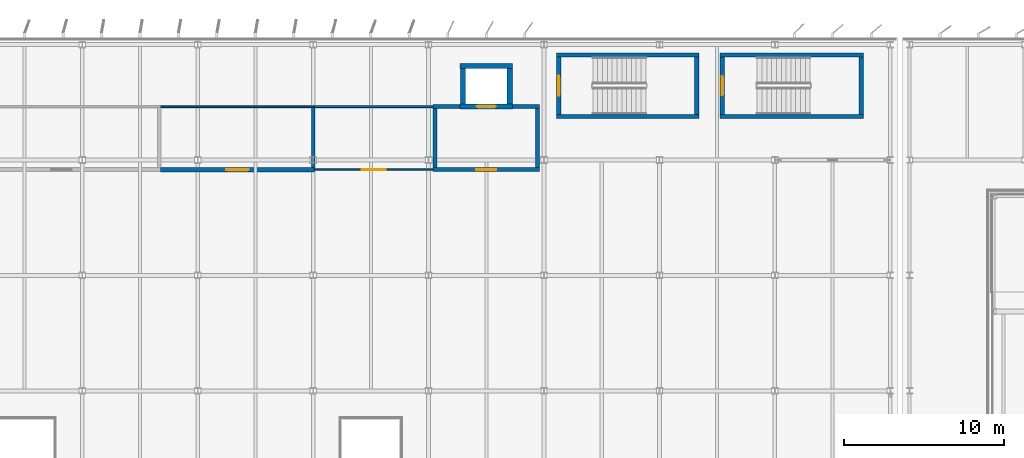
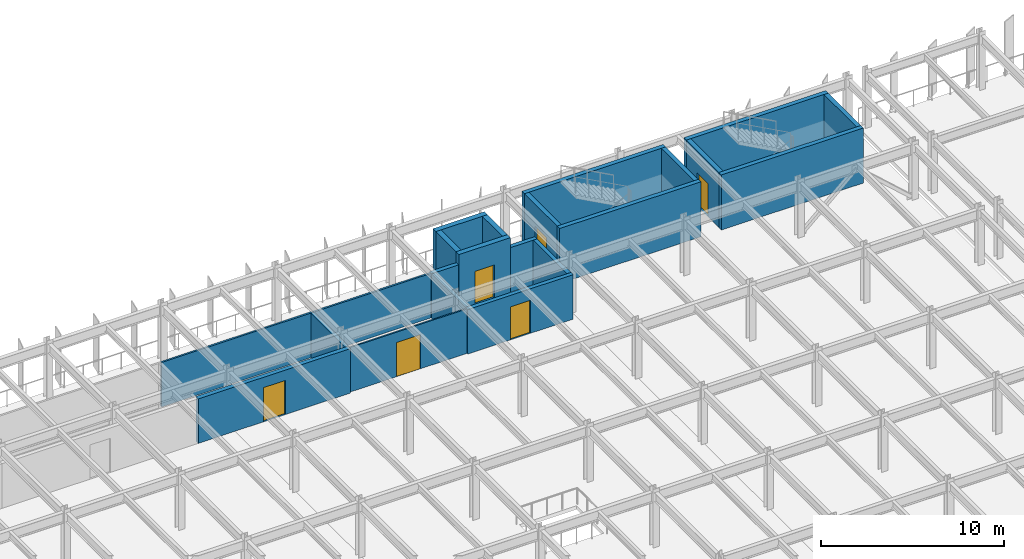
# One storey, part 66 of 93: 22 walls, 6 doors, 6 openings.
"""IFC4 building model written with IfcOpenShell, lengths in metres."""

from ifc_helpers import new_model, si_unit, direction, frame, frame_2d, origin, place, context, subcontext, project, spatial, rectangle, extrude, material, layer, layer_set, type_object, element, fill, save


model = new_model("IFC4")

# Units and contexts
model_context = context("Model", 3, precision=1e-05, world=origin(), true_north=direction((0.0, 1.0)))
body_context = subcontext(model_context, "Body", "Model", "MODEL_VIEW")
ifc_project = project(units=[si_unit("LENGTHUNIT", "METRE"), si_unit("AREAUNIT", "SQUARE_METRE"), si_unit("VOLUMEUNIT", "CUBIC_METRE"), si_unit("PLANEANGLEUNIT", "RADIAN"), si_unit("MASSUNIT", "GRAM", prefix="KILO")], contexts=[model_context])

# Site, building, storey
site_placement = place(None, origin())
site = spatial("IfcSite", under=ifc_project, at=site_placement, CompositionType="ELEMENT")
building_placement = place(site_placement, origin())
building = spatial("IfcBuilding", under=site, at=building_placement, Name="Vaelcorin Mobility Hub", CompositionType="ELEMENT")
storey_placement = place(building_placement, frame((0.0, 0.0, 5.39990234375)))
storey = spatial("IfcBuildingStorey", under=building, at=storey_placement, Name="L01", CompositionType="ELEMENT", Elevation=5.39990234375)

# Walls
ifc_material_1 = material(Name="Reinforced concrete f'c 45 MPa", Category="concrete")
ifc_layer_1 = layer(ifc_material_1, 0.27490234375)
ifc_layer_set_1 = layer_set([ifc_layer_1], Name="Reinforced concrete f'c 45 MPa")
wall_type_1 = type_object("IfcWallType", Name="WL-CORE-275", PredefinedType="SOLIDWALL", material=ifc_layer_set_1)
for number, where, z_axis, x_axis, name in (
    (1, (110.47509765625, 115.511962890625, 0.0), (0.0, 0.0, 1.0), (-1.0, 0.0, 0.0), "ST4 Fire Core Wall L01 South"),
    (2, (101.574951171875, 119.347900390625, 0.0), (0.0, 0.0, 1.0), (1.0, 0.0, 0.0), "ST4 Fire Core Wall L01 North"),
):
    element("IfcWall", number, at=place(storey_placement, frame(where, z_axis=z_axis, x_axis=x_axis)), inside=storey, type_object=wall_type_1, Name=name, PredefinedType="SOLIDWALL", context=body_context, shape_type="SweptSolid", body=[
        extrude(rectangle(XDim=8.900146484375, YDim=0.27490234375, at=frame_2d((4.4501953125, 0.0))), origin(), (0.0, 0.0, 1.0), 3.670166015625),
    ])

# Wall, opening, door
wall_1_placement = place(storey_placement, frame((101.7119140625, 115.64990234375, 0.0), z_axis=(0.0, 0.0, 1.0), x_axis=(0.0, 1.0, 0.0)))
wall_1 = element("IfcWall", 3, at=wall_1_placement, inside=storey, type_object=wall_type_1, Name="ST4 Fire Core Wall L01 West", PredefinedType="SOLIDWALL", context=body_context, shape_type="SweptSolid", body=[
    extrude(rectangle(XDim=3.56005859375, YDim=0.27490234375, at=frame_2d((1.780029296875, 0.0))), origin(), (0.0, 0.0, 1.0), 3.670166015625),
])
opening_1_placement = place(wall_1_placement, frame((1.155029296875, 0.0, 0.0)))
opening_1 = element("IfcOpeningElement", 4, at=opening_1_placement, cuts=wall_1, Name="Opening SD02", PredefinedType="OPENING", context=body_context, shape_type="SweptSolid", body=[
    extrude(rectangle(XDim=1.25, YDim=2.199951171875, at=frame_2d((0.625, 1.10009765625))), frame((0.0, 0.1474609375, 0.0), z_axis=(0.0, -1.0, 0.0), x_axis=(1.0, 0.0, 0.0)), (0.0, 0.0, 1.0), 0.294921875),
])
ifc_material_2 = material(Name="Hollow-metal insulated steel fire door", Category="steel")
door_type_1 = type_object("IfcDoorType", Name="DR-STAIR-FF", OperationType="NOTDEFINED", PredefinedType="DOOR", material=ifc_material_2)
door_1_placement = place(opening_1_placement, origin())
door_1 = element("IfcDoor", 5, at=door_1_placement, inside=storey, type_object=door_type_1, Name="ST4 Protected Stair Door L01", OperationType="SINGLE_SWING_RIGHT", OverallHeight=2.199951171875, OverallWidth=1.25, PredefinedType="DOOR", context=body_context, shape_type="SweptSolid", body=[
    extrude(rectangle(XDim=1.25, YDim=2.199951171875, at=frame_2d((0.625, 1.10009765625))), frame((0.0, 0.02490234375, 0.0), z_axis=(0.0, -1.0, 0.0), x_axis=(1.0, 0.0, 0.0)), (0.0, 0.0, 1.0), 0.050048828125),
])
fill(opening_1, door_1)

# Walls
wall_2_placement = place(storey_placement, frame((110.337890625, 119.2099609375, 0.0), z_axis=(0.0, 0.0, 1.0), x_axis=(0.0, -1.0, 0.0)))
element("IfcWall", 6, at=wall_2_placement, inside=storey, type_object=wall_type_1, Name="ST4 Fire Core Wall L01 East", PredefinedType="SOLIDWALL", context=body_context, shape_type="SweptSolid", body=[
    extrude(rectangle(XDim=3.56005859375, YDim=0.27490234375, at=frame_2d((1.780029296875, 0.0))), origin(), (0.0, 0.0, 1.0), 3.670166015625),
])
for number, where, z_axis, x_axis, name in (
    (7, (120.72509765625, 115.511962890625, 0.0), (0.0, 0.0, 1.0), (-1.0, 0.0, 0.0), "ST9 Fire Core Wall L01 South"),
    (8, (111.77490234375, 119.347900390625, 0.0), (0.0, 0.0, 1.0), (1.0, 0.0, 0.0), "ST9 Fire Core Wall L01 North"),
):
    element("IfcWall", number, at=place(storey_placement, frame(where, z_axis=z_axis, x_axis=x_axis)), inside=storey, type_object=wall_type_1, Name=name, PredefinedType="SOLIDWALL", context=body_context, shape_type="SweptSolid", body=[
        extrude(rectangle(XDim=8.9501953125, YDim=0.27490234375, at=frame_2d((4.47509765625, 0.0))), origin(), (0.0, 0.0, 1.0), 3.670166015625),
    ])

# Wall, opening, door
wall_3_placement = place(storey_placement, frame((111.912109375, 115.64990234375, 0.0), z_axis=(0.0, 0.0, 1.0), x_axis=(0.0, 1.0, 0.0)))
wall_3 = element("IfcWall", 9, at=wall_3_placement, inside=storey, type_object=wall_type_1, Name="ST9 Fire Core Wall L01 West", PredefinedType="SOLIDWALL", context=body_context, shape_type="SweptSolid", body=[
    extrude(rectangle(XDim=3.56005859375, YDim=0.27490234375, at=frame_2d((1.780029296875, 0.0))), origin(), (0.0, 0.0, 1.0), 3.670166015625),
])
opening_2_placement = place(wall_3_placement, frame((1.179931640625, 0.0, 0.0)))
opening_2 = element("IfcOpeningElement", 10, at=opening_2_placement, cuts=wall_3, Name="Opening SD01", PredefinedType="OPENING", context=body_context, shape_type="SweptSolid", body=[
    extrude(rectangle(XDim=1.199951171875, YDim=2.199951171875, at=frame_2d((0.60009765625, 1.10009765625))), frame((0.0, 0.1474609375, 0.0), z_axis=(0.0, -1.0, 0.0), x_axis=(1.0, 0.0, 0.0)), (0.0, 0.0, 1.0), 0.294921875),
])
door_type_2 = type_object("IfcDoorType", Name="DR-STAIR-90", OperationType="NOTDEFINED", PredefinedType="DOOR", material=ifc_material_2)
door_2_placement = place(opening_2_placement, origin())
door_2 = element("IfcDoor", 11, at=door_2_placement, inside=storey, type_object=door_type_2, Name="ST9 Protected Stair Door L01", OperationType="SINGLE_SWING_RIGHT", OverallHeight=2.199951171875, OverallWidth=1.199951171875, PredefinedType="DOOR", context=body_context, shape_type="SweptSolid", body=[
    extrude(rectangle(XDim=1.199951171875, YDim=2.199951171875, at=frame_2d((0.60009765625, 1.10009765625))), frame((0.0, 0.02490234375, 0.0), z_axis=(0.0, -1.0, 0.0), x_axis=(1.0, 0.0, 0.0)), (0.0, 0.0, 1.0), 0.050048828125),
])
fill(opening_2, door_2)

# Walls
wall_4_placement = place(storey_placement, frame((120.587890625, 119.2099609375, 0.0), z_axis=(0.0, 0.0, 1.0), x_axis=(0.0, -1.0, 0.0)))
element("IfcWall", 12, at=wall_4_placement, inside=storey, type_object=wall_type_1, Name="ST9 Fire Core Wall L01 East", PredefinedType="SOLIDWALL", context=body_context, shape_type="SweptSolid", body=[
    extrude(rectangle(XDim=3.56005859375, YDim=0.27490234375, at=frame_2d((1.780029296875, 0.0))), origin(), (0.0, 0.0, 1.0), 3.670166015625),
])
ifc_material_3 = material(Name="Fire-rated acoustic steel-stud gypsum board", Category="steel")
ifc_layer_2 = layer(ifc_material_3, 0.114990234375)
ifc_layer_set_2 = layer_set([ifc_layer_2], Name="Fire-rated acoustic steel-stud gypsum board")
wall_type_2 = type_object("IfcWallType", Name="WL-PART-115", PredefinedType="PARTITIONING", material=ifc_layer_set_2)
wall_5_placement = place(storey_placement, frame((76.882080078125, 116.125, 0.0), z_axis=(0.0, 0.0, 1.0), x_axis=(1.0, 0.0, 0.0)))
element("IfcWall", 13, at=wall_5_placement, inside=storey, type_object=wall_type_2, Name="Public Restrooms L01 Partition North", PredefinedType="PARTITIONING", context=body_context, shape_type="SweptSolid", body=[
    extrude(rectangle(XDim=9.597900390625, YDim=0.114990234375, at=frame_2d((4.798828125, 0.0))), origin(), (0.0, 0.0, 1.0), 2.967041015625),
])
ifc_layer_3 = layer(ifc_material_3, 0.1201171875)
ifc_layer_set_3 = layer_set([ifc_layer_3], Name="Fire-rated acoustic steel-stud gypsum board")
wall_type_3 = type_object("IfcWallType", Name="WL-PART-120", PredefinedType="PARTITIONING", material=ifc_layer_set_3)
wall_6_placement = place(storey_placement, frame((86.48193359375, 116.125, 0.0), z_axis=(0.0, 0.0, 1.0), x_axis=(1.0, 0.0, 0.0)))
element("IfcWall", 14, at=wall_6_placement, inside=storey, type_object=wall_type_3, Name="Accessible WC L01 Partition North", PredefinedType="PARTITIONING", context=body_context, shape_type="SweptSolid", body=[
    extrude(rectangle(XDim=7.39111328125, YDim=0.1201171875, at=frame_2d((3.695556640625, 0.0))), origin(), (0.0, 0.0, 1.0), 2.967041015625),
])
ifc_material_4 = material(Name="Reinforced acoustic concrete masonry C30/37", Category="masonry")
ifc_layer_4 = layer(ifc_material_4, 0.235107421875)
ifc_layer_set_4 = layer_set([ifc_layer_4], Name="Reinforced acoustic concrete masonry C30/37")
wall_type_4 = type_object("IfcWallType", Name="WL-PART-235", PredefinedType="PARTITIONING", material=ifc_layer_set_4)
wall_7_placement = place(storey_placement, frame((86.39990234375, 116.06298828125, 0.0), z_axis=(0.0, 0.0, 1.0), x_axis=(0.0, -1.0, 0.0)))
element("IfcWall", 15, at=wall_7_placement, inside=storey, type_object=wall_type_4, Name="Public Restrooms L01 Partition East", PredefinedType="PARTITIONING", context=body_context, shape_type="SweptSolid", body=[
    extrude(rectangle(XDim=3.72607421875, YDim=0.235107421875, at=frame_2d((1.863037109375, 0.0))), origin(), (0.0, 0.0, 1.0), 2.967041015625),
])

# Wall, opening, door
ifc_layer_5 = layer(ifc_material_4, 0.25)
ifc_layer_set_5 = layer_set([ifc_layer_5], Name="Reinforced acoustic concrete masonry C30/37")
wall_type_5 = type_object("IfcWallType", Name="WL-PART-250", PredefinedType="PARTITIONING", material=ifc_layer_set_5)
wall_8_placement = place(storey_placement, frame((100.52490234375, 112.199951171875, 0.0), z_axis=(0.0, 0.0, 1.0), x_axis=(-1.0, 0.0, 0.0)))
wall_8 = element("IfcWall", 16, at=wall_8_placement, inside=storey, type_object=wall_type_5, Name="Firefighting Lobby East L01 Partition South", PredefinedType="PARTITIONING", context=body_context, shape_type="SweptSolid", body=[
    extrude(rectangle(XDim=6.64990234375, YDim=0.25, at=frame_2d((3.324951171875, 0.0))), origin(), (0.0, 0.0, 1.0), 2.967041015625),
])
opening_3_placement = place(wall_8_placement, frame((2.699951171875, 0.0, 0.0)))
opening_3 = element("IfcOpeningElement", 17, at=opening_3_placement, cuts=wall_8, Name="Opening SD02", PredefinedType="OPENING", context=body_context, shape_type="SweptSolid", body=[
    extrude(rectangle(XDim=1.25, YDim=2.199951171875, at=frame_2d((0.625, 1.10009765625))), frame((0.0, 0.135009765625, 0.0), z_axis=(0.0, -1.0, 0.0), x_axis=(1.0, 0.0, 0.0)), (0.0, 0.0, 1.0), 0.27001953125),
])
door_3_placement = place(opening_3_placement, origin())
door_3 = element("IfcDoor", 18, at=door_3_placement, inside=storey, type_object=door_type_1, Name="Firefighting Lobby East L01 Door", OperationType="SINGLE_SWING_RIGHT", OverallHeight=2.199951171875, OverallWidth=1.25, PredefinedType="DOOR", context=body_context, shape_type="SweptSolid", body=[
    extrude(rectangle(XDim=1.25, YDim=2.199951171875, at=frame_2d((0.625, 1.10009765625))), frame((0.0, 0.02490234375, 0.0), z_axis=(0.0, -1.0, 0.0), x_axis=(1.0, 0.0, 0.0)), (0.0, 0.0, 1.0), 0.050048828125),
])
fill(opening_3, door_3)

# Walls
for number, where, z_axis, x_axis, name in (
    (19, (93.875, 116.137939453125, 0.0), (0.0, 0.0, 1.0), (1.0, 0.0, 0.0), "Firefighting Lobby East L01 Return Wall NW"),
    (20, (98.826904296875, 116.137939453125, 0.0), (0.0, 0.0, 1.0), (1.0, 0.0, 0.0), "Firefighting Lobby East L01 Return Wall NE"),
):
    element("IfcWall", number, at=place(storey_placement, frame(where, z_axis=z_axis, x_axis=x_axis)), inside=storey, type_object=wall_type_5, Name=name, PredefinedType="PARTITIONING", context=body_context, shape_type="SweptSolid", body=[
        extrude(rectangle(XDim=1.697998046875, YDim=0.25, at=frame_2d((0.84912109375, 0.0))), origin(), (0.0, 0.0, 1.0), 2.967041015625),
    ])
for number, where, z_axis, x_axis, name in (
    (21, (94.0, 112.326904296875, 0.0), (0.0, 0.0, 1.0), (0.0, 1.0, 0.0), "Firefighting Lobby East L01 Partition West"),
    (22, (100.39990234375, 116.010986328125, 0.0), (0.0, 0.0, 1.0), (0.0, -1.0, 0.0), "Firefighting Lobby East L01 Partition East"),
):
    element("IfcWall", number, at=place(storey_placement, frame(where, z_axis=z_axis, x_axis=x_axis)), inside=storey, type_object=wall_type_5, Name=name, PredefinedType="PARTITIONING", context=body_context, shape_type="SweptSolid", body=[
        extrude(rectangle(XDim=3.68408203125, YDim=0.25, at=frame_2d((1.842041015625, 0.0))), origin(), (0.0, 0.0, 1.0), 2.967041015625),
    ])

# Wall, opening, door
ifc_layer_6 = layer(ifc_material_4, 0.27001953125)
ifc_layer_set_6 = layer_set([ifc_layer_6], Name="Reinforced acoustic concrete masonry C30/37")
wall_type_6 = type_object("IfcWallType", Name="WL-PART-270", PredefinedType="PARTITIONING", material=ifc_layer_set_6)
wall_9_placement = place(storey_placement, frame((86.47998046875, 112.199951171875, 0.0), z_axis=(0.0, 0.0, 1.0), x_axis=(-1.0, 0.0, 0.0)))
wall_9 = element("IfcWall", 23, at=wall_9_placement, inside=storey, type_object=wall_type_6, Name="Public Restrooms L01 Partition South", PredefinedType="PARTITIONING", context=body_context, shape_type="SweptSolid", body=[
    extrude(rectangle(XDim=9.597900390625, YDim=0.27001953125, at=frame_2d((4.798828125, 0.0))), origin(), (0.0, 0.0, 1.0), 2.967041015625),
])
opening_4_placement = place(wall_9_placement, frame((4.09912109375, 0.0, 0.0)))
opening_4 = element("IfcOpeningElement", 24, at=opening_4_placement, cuts=wall_9, Name="Opening ID39", PredefinedType="OPENING", context=body_context, shape_type="SweptSolid", body=[
    extrude(rectangle(XDim=1.39990234375, YDim=2.280029296875, at=frame_2d((0.699951171875, 1.14013671875))), frame((0.0, 0.14501953125, 0.0), z_axis=(0.0, -1.0, 0.0), x_axis=(1.0, 0.0, 0.0)), (0.0, 0.0, 1.0), 0.2900390625),
])
ifc_material_5 = material(Name="Solid-core hardwood fire door assembly", Category="wood")
door_type_3 = type_object("IfcDoorType", Name="DR-INT-39", OperationType="NOTDEFINED", PredefinedType="DOOR", material=ifc_material_5)
door_4_placement = place(opening_4_placement, origin())
door_4 = element("IfcDoor", 25, at=door_4_placement, inside=storey, type_object=door_type_3, Name="Public Restrooms L01 Door", OperationType="SINGLE_SWING_LEFT", OverallHeight=2.280029296875, OverallWidth=1.39990234375, PredefinedType="DOOR", context=body_context, shape_type="SweptSolid", body=[
    extrude(rectangle(XDim=1.39990234375, YDim=2.280029296875, at=frame_2d((0.699951171875, 1.14013671875))), frame((0.0, 0.02490234375, 0.0), z_axis=(0.0, -1.0, 0.0), x_axis=(1.0, 0.0, 0.0)), (0.0, 0.0, 1.0), 0.050048828125),
])
fill(opening_4, door_4)

ifc_layer_7 = layer(ifc_material_3, 0.094970703125)
ifc_layer_set_7 = layer_set([ifc_layer_7], Name="Fire-rated acoustic steel-stud gypsum board")
wall_type_7 = type_object("IfcWallType", Name="WL-PART-95", PredefinedType="PARTITIONING", material=ifc_layer_set_7)
wall_10_placement = place(storey_placement, frame((93.873046875, 112.199951171875, 0.0), z_axis=(0.0, 0.0, 1.0), x_axis=(-1.0, 0.0, 0.0)))
wall_10 = element("IfcWall", 26, at=wall_10_placement, inside=storey, type_object=wall_type_7, Name="Accessible WC L01 Partition South", PredefinedType="PARTITIONING", context=body_context, shape_type="SweptSolid", body=[
    extrude(rectangle(XDim=7.39111328125, YDim=0.094970703125, at=frame_2d((3.695556640625, 0.0))), origin(), (0.0, 0.0, 1.0), 2.967041015625),
])
opening_5_placement = place(wall_10_placement, frame((2.93603515625, 0.0, 0.0)))
opening_5 = element("IfcOpeningElement", 27, at=opening_5_placement, cuts=wall_10, Name="Opening ID40", PredefinedType="OPENING", context=body_context, shape_type="SweptSolid", body=[
    extrude(rectangle(XDim=1.52001953125, YDim=2.280029296875, at=frame_2d((0.760009765625, 1.14013671875))), frame((0.0, 0.057373046875, 0.0), z_axis=(0.0, -1.0, 0.0), x_axis=(1.0, 0.0, 0.0)), (0.0, 0.0, 1.0), 0.114990234375),
])
door_type_4 = type_object("IfcDoorType", Name="DR-INT-40", OperationType="NOTDEFINED", PredefinedType="DOOR", material=ifc_material_2)
door_5_placement = place(opening_5_placement, origin())
door_5 = element("IfcDoor", 28, at=door_5_placement, inside=storey, type_object=door_type_4, Name="Accessible WC L01 Door", OperationType="SINGLE_SWING_RIGHT", OverallHeight=2.280029296875, OverallWidth=1.52001953125, PredefinedType="DOOR", context=body_context, shape_type="SweptSolid", body=[
    extrude(rectangle(XDim=1.52001953125, YDim=2.280029296875, at=frame_2d((0.760009765625, 1.14013671875))), frame((0.0, 0.02490234375, 0.0), z_axis=(0.0, -1.0, 0.0), x_axis=(1.0, 0.0, 0.0)), (0.0, 0.0, 1.0), 0.050048828125),
])
fill(opening_5, door_5)

ifc_layer_8 = layer(ifc_material_1, 0.324951171875)
ifc_layer_set_8 = layer_set([ifc_layer_8], Name="Reinforced concrete f'c 45 MPa")
wall_type_8 = type_object("IfcWallType", Name="WL-SHEAR-325", PredefinedType="SHEAR", material=ifc_layer_set_8)
wall_11_placement = place(storey_placement, frame((98.824951171875, 116.137939453125, 0.0), z_axis=(0.0, 0.0, 1.0), x_axis=(-1.0, 0.0, 0.0)))
wall_11 = element("IfcWall", 29, at=wall_11_placement, inside=storey, type_object=wall_type_8, Name="LF2 Lift Shaft Shear Wall L01 South", PredefinedType="SHEAR", context=body_context, shape_type="SweptSolid", body=[
    extrude(rectangle(XDim=3.25, YDim=0.324951171875, at=frame_2d((1.625, 0.0))), origin(), (0.0, 0.0, 1.0), 3.670166015625),
])
opening_6_placement = place(wall_11_placement, frame((1.02490234375, 0.0, 0.0)))
opening_6 = element("IfcOpeningElement", 30, at=opening_6_placement, cuts=wall_11, Name="Opening LD1", PredefinedType="OPENING", context=body_context, shape_type="SweptSolid", body=[
    extrude(rectangle(XDim=1.199951171875, YDim=2.199951171875, at=frame_2d((0.60009765625, 1.10009765625))), frame((0.0, 0.17236328125, 0.0), z_axis=(0.0, -1.0, 0.0), x_axis=(1.0, 0.0, 0.0)), (0.0, 0.0, 1.0), 0.344970703125),
])
ifc_material_6 = material(Name="Brushed stainless steel 316L", Category="steel")
door_type_5 = type_object("IfcDoorType", Name="DR-LIFT-LD1", OperationType="NOTDEFINED", PredefinedType="DOOR", material=ifc_material_6)
door_6_placement = place(opening_6_placement, origin())
door_6 = element("IfcDoor", 31, at=door_6_placement, inside=storey, type_object=door_type_5, Name="LF2 Lift Landing Sliding Door L01", OperationType="DOUBLE_DOOR_SLIDING", OverallHeight=2.199951171875, OverallWidth=1.199951171875, PredefinedType="DOOR", context=body_context, shape_type="SweptSolid", body=[
    extrude(rectangle(XDim=1.199951171875, YDim=2.199951171875, at=frame_2d((0.60009765625, 1.10009765625))), frame((0.0, 0.02490234375, 0.0), z_axis=(0.0, -1.0, 0.0), x_axis=(1.0, 0.0, 0.0)), (0.0, 0.0, 1.0), 0.050048828125),
])
fill(opening_6, door_6)

# Walls
wall_12_placement = place(storey_placement, frame((95.574951171875, 118.662109375, 0.0), z_axis=(0.0, 0.0, 1.0), x_axis=(1.0, 0.0, 0.0)))
element("IfcWall", 32, at=wall_12_placement, inside=storey, type_object=wall_type_8, Name="LF2 Lift Shaft Shear Wall L01 North", PredefinedType="SHEAR", context=body_context, shape_type="SweptSolid", body=[
    extrude(rectangle(XDim=3.25, YDim=0.324951171875, at=frame_2d((1.625, 0.0))), origin(), (0.0, 0.0, 1.0), 3.670166015625),
])
for number, where, z_axis, x_axis, name in (
    (33, (95.738037109375, 116.300048828125, 0.0), (0.0, 0.0, 1.0), (0.0, 1.0, 0.0), "LF2 Lift Shaft Shear Wall L01 West"),
    (34, (98.662109375, 118.5, 0.0), (0.0, 0.0, 1.0), (0.0, -1.0, 0.0), "LF2 Lift Shaft Shear Wall L01 East"),
):
    element("IfcWall", number, at=place(storey_placement, frame(where, z_axis=z_axis, x_axis=x_axis)), inside=storey, type_object=wall_type_8, Name=name, PredefinedType="SHEAR", context=body_context, shape_type="SweptSolid", body=[
        extrude(rectangle(XDim=2.199951171875, YDim=0.324951171875, at=frame_2d((1.10009765625, 0.0))), origin(), (0.0, 0.0, 1.0), 3.670166015625),
    ])

save(model, "model.ifc")
